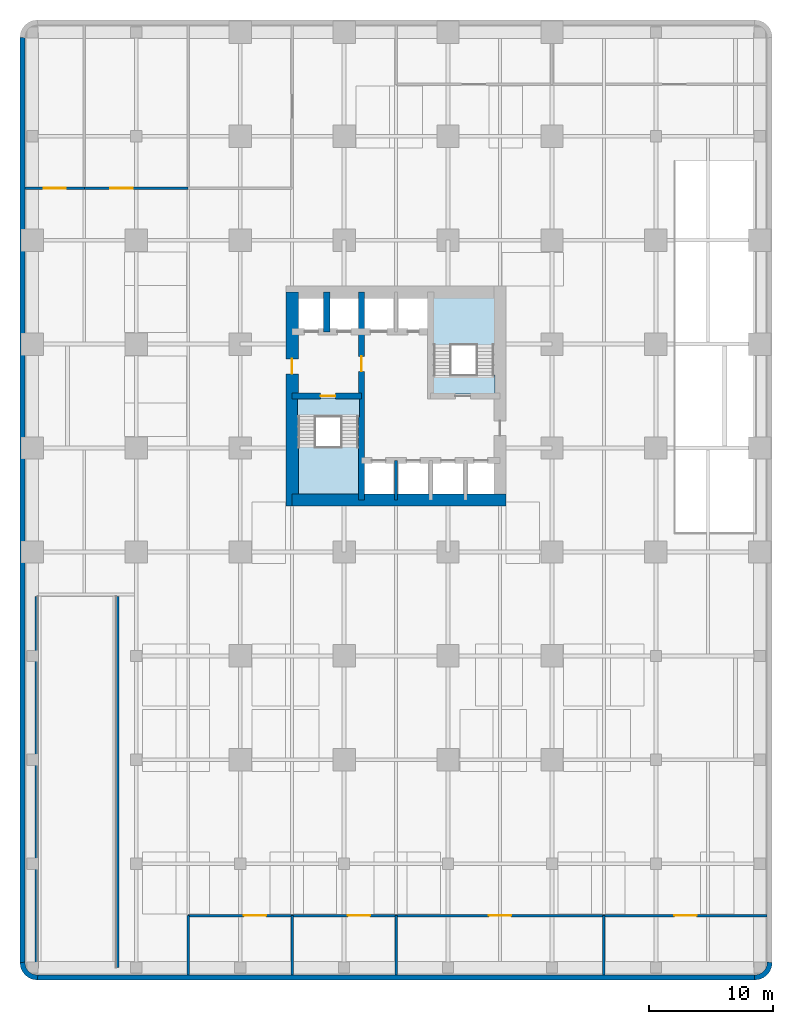
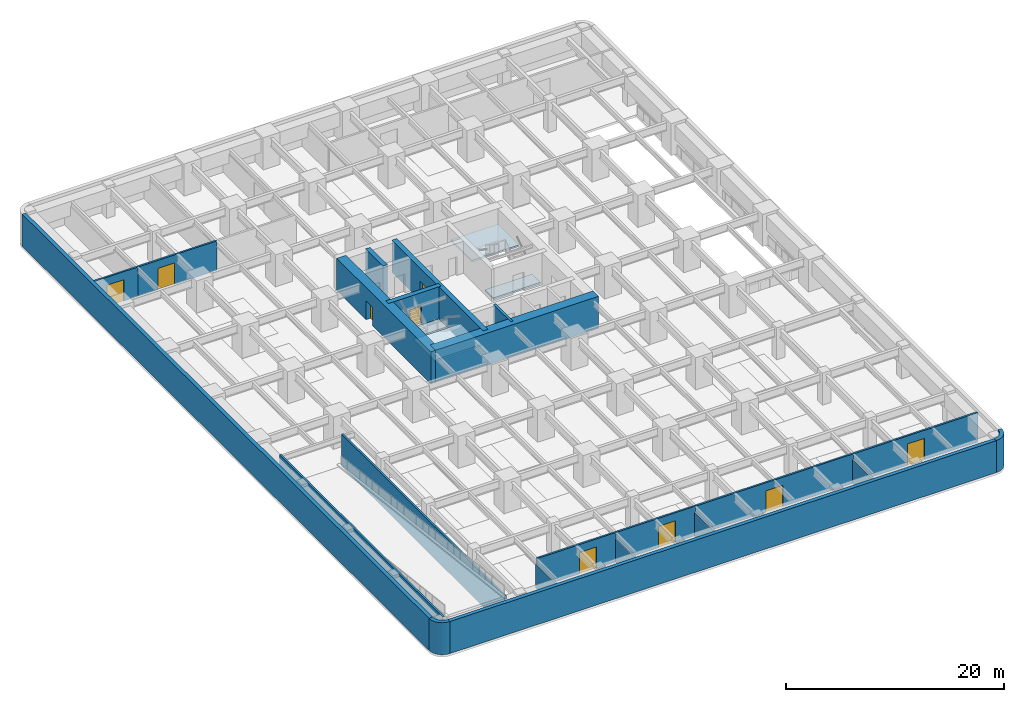
# One storey, part 4 of 9: 22 walls, 9 doors, 4 slabs, 9 openings, 2 elements without a shape of their own.
"""IFC4 building model written with IfcOpenShell, lengths in metres."""

import ifcopenshell
import ifcopenshell.guid

model = None  # the IFC model being written
_history = None  # IfcOwnerHistory: only IFC2X3 demands one
_inside = {}  # id of a spatial element -> (the spatial element, [elements in it])
_under = {}  # id of a project, library or spatial element -> (it, [spatial elements below it])
_declared = {}  # id of a project -> (the project, [libraries it declares])
_typed = {}  # id of a type object -> (the type object, [elements of that type])
_made_of = {}  # id of a material, layer set ... -> (it, [elements and type objects made of it])


def new_model(schema):
    """Start an empty IFC model of exactly this schema.

    Asked for "IFC4X3", IfcOpenShell would pick the latest addendum, in which some entities
    have other attributes; the version numbers below select the first issue.
    IFC2X3 requires an IfcOwnerHistory on every rooted entity: one is made here for all.
    """
    global model, _history
    if schema == "IFC4X3":
        model = ifcopenshell.file(schema_version=(4, 3, 0, 0))
    else:
        model = ifcopenshell.file(schema=schema)
    _inside.clear()
    _under.clear()
    _declared.clear()
    _typed.clear()
    _made_of.clear()
    _history = None
    if model.schema == "IFC2X3":
        org = make("IfcOrganization", Name="unknown")
        user = make(
            "IfcPersonAndOrganization",
            ThePerson=make("IfcPerson", FamilyName="unknown"),
            TheOrganization=org,
        )
        app = make(
            "IfcApplication",
            ApplicationDeveloper=org,
            Version="unknown",
            ApplicationFullName="unknown",
            ApplicationIdentifier="unknown",
        )
        _history = make(
            "IfcOwnerHistory",
            OwningUser=user,
            OwningApplication=app,
            ChangeAction="ADDED",
            CreationDate=0,
        )
    return model


def make(cls, **values):
    """One entity of the class cls with the attributes given. An attribute that is None is left unset."""
    return model.create_entity(
        cls, **{name: value for name, value in values.items() if value is not None}
    )


def rooted(cls, **values):
    """An entity with a GlobalId (a new one), such as an element, a storey or a relation."""
    return make(cls, GlobalId=ifcopenshell.guid.new(), OwnerHistory=_history, **values)


def si_unit(unit_type, name, prefix=None):
    """IfcSIUnit, for example si_unit("LENGTHUNIT", "METRE", prefix="MILLI")."""
    return make("IfcSIUnit", UnitType=unit_type, Prefix=prefix, Name=name)


def assignment(units):
    """IfcUnitAssignment: the units of a project."""
    return None if units is None else make("IfcUnitAssignment", Units=units)


def point(xyz):
    """IfcCartesianPoint."""
    return None if xyz is None else make("IfcCartesianPoint", Coordinates=xyz)


def direction(xyz):
    """IfcDirection."""
    return None if xyz is None else make("IfcDirection", DirectionRatios=xyz)


def frame(location, z_axis=None, x_axis=None):
    """IfcAxis2Placement3D, a coordinate frame: its origin and axes. An axis left out is left unset."""
    return make(
        "IfcAxis2Placement3D",
        Location=point(location),
        Axis=direction(z_axis),
        RefDirection=direction(x_axis),
    )


def frame_2d(location, x_axis=None):
    """IfcAxis2Placement2D, a coordinate frame in the plane: its origin and x axis."""
    return make(
        "IfcAxis2Placement2D", Location=point(location), RefDirection=direction(x_axis)
    )


def origin():
    """The frame at (0, 0, 0) with its axes left unset."""
    return frame((0.0, 0.0, 0.0))


def place(relative_to, where):
    """IfcLocalPlacement: puts the frame where relative to a parent placement (None: the world)."""
    return make(
        "IfcLocalPlacement", PlacementRelTo=relative_to, RelativePlacement=where
    )


def context(
    kind, dimensions, precision=None, world=None, true_north=None, identifier=None
):
    """IfcGeometricRepresentationContext, for example the 3D "Model" context."""
    return make(
        "IfcGeometricRepresentationContext",
        ContextIdentifier=identifier,
        ContextType=kind,
        CoordinateSpaceDimension=dimensions,
        Precision=precision,
        WorldCoordinateSystem=world,
        TrueNorth=true_north,
    )


def subcontext(parent, identifier, kind, view, scale=None):
    """IfcGeometricRepresentationSubContext, for example "Body" below "Model"."""
    return make(
        "IfcGeometricRepresentationSubContext",
        ContextIdentifier=identifier,
        ContextType=kind,
        ParentContext=parent,
        TargetScale=scale,
        TargetView=view,
    )


def project(units=None, contexts=None):
    """IfcProject with its units and contexts."""
    return rooted(
        "IfcProject",
        Name="project",
        RepresentationContexts=contexts,
        UnitsInContext=assignment(units),
    )


def spatial(cls, under=None, at=None, **own):
    """A site, building, storey or space (cls), placed at a placement, below another one or the project."""
    s = rooted(cls, ObjectPlacement=at, **own)
    if under is not None:
        _under.setdefault(under.id(), (under, []))[1].append(s)
    return s


def polyline(points):
    """IfcPolyline through the points."""
    return make("IfcPolyline", Points=[point(p) for p in points])


def profile(cls, at=None, kind="AREA", **sizes):
    """A parametric profile (cls). Its sizes go by their IFC names, for example OverallWidth=200.0."""
    return make(cls, ProfileType=kind, Position=at, **sizes)


def rectangle(**sizes):
    """IfcRectangleProfileDef."""
    return profile("IfcRectangleProfileDef", **sizes)


def outline(outer, holes=None, kind="AREA"):
    """IfcArbitraryClosedProfileDef: a profile drawn as a closed curve; with holes, ...WithVoids."""
    if holes is None:
        return make("IfcArbitraryClosedProfileDef", ProfileType=kind, OuterCurve=outer)
    return make(
        "IfcArbitraryProfileDefWithVoids",
        ProfileType=kind,
        OuterCurve=outer,
        InnerCurves=holes,
    )


def extrude(swept, where, along, depth):
    """IfcExtrudedAreaSolid: the profile swept, set in the frame where, extruded along a direction by depth."""
    return make(
        "IfcExtrudedAreaSolid",
        SweptArea=swept,
        Position=where,
        ExtrudedDirection=direction(along),
        Depth=depth,
    )


def shape(context_of_items, identifier, shape_type, items):
    """IfcShapeRepresentation: the items that make up one representation, for example the "Body"."""
    return make(
        "IfcShapeRepresentation",
        ContextOfItems=context_of_items,
        RepresentationIdentifier=identifier,
        RepresentationType=shape_type,
        Items=items,
    )


def material(Name=None, Category=None):
    """IfcMaterial."""
    return make("IfcMaterial", Name=Name, Category=Category)


def layer(
    of_material, thickness, ventilated=None, Name=None, Category=None, Priority=None
):
    """IfcMaterialLayer: one layer of a wall or slab, of a material (None: an air gap)."""
    return make(
        "IfcMaterialLayer",
        Material=of_material,
        LayerThickness=thickness,
        IsVentilated=ventilated,
        Name=Name,
        Category=Category,
        Priority=Priority,
    )


def layer_set(layers, Name=None):
    """IfcMaterialLayerSet."""
    return make("IfcMaterialLayerSet", MaterialLayers=layers, LayerSetName=Name)


def made_of(thing, what):
    """Note that an element or type object is made of a material, layer set ...; save() writes the relation."""
    if what is not None:
        _made_of.setdefault(what.id(), (what, []))[1].append(thing)
    return thing


def type_object(cls, material=None, **own):
    """A type object (cls), such as IfcWallType, which elements share."""
    return made_of(rooted(cls, **own), material)


def element(
    cls,
    number,
    at=None,
    inside=None,
    cuts=None,
    type_object=None,
    material=None,
    context=None,
    identifier="Body",
    shape_type=None,
    held_by="IfcProductDefinitionShape",
    body=None,
    shapes=None,
    **own,
):
    """One element of the class cls, such as IfcWall. Its Tag is "e" and its number.

    at: its placement. inside: the storey or other place that contains it. cuts: it is an
    opening in that element (IfcRelVoidsElement). A single representation is given by context,
    identifier, shape_type and body (its items); several are given by shapes. held_by: the class
    of the entity that holds the representations. save() writes the other relations.
    """
    e = rooted(cls, Tag="e%d" % number, ObjectPlacement=at, **own)
    if body is not None:
        shapes = [shape(context, identifier, shape_type, body)]
    if shapes is not None:
        e.Representation = make(held_by, Representations=shapes)
    if inside is not None:
        _inside.setdefault(inside.id(), (inside, []))[1].append(e)
    if cuts is not None:
        rooted(
            "IfcRelVoidsElement", RelatingBuildingElement=cuts, RelatedOpeningElement=e
        )
    if type_object is not None:
        _typed.setdefault(type_object.id(), (type_object, []))[1].append(e)
    return made_of(e, material)


def fill(opening, filler):
    """IfcRelFillsElement: the door or window that sits in an opening."""
    return rooted(
        "IfcRelFillsElement",
        RelatingOpeningElement=opening,
        RelatedBuildingElement=filler,
    )


def aggregate(whole, parts):
    """IfcRelAggregates: a whole, such as a stair, and the parts it consists of."""
    return rooted("IfcRelAggregates", RelatingObject=whole, RelatedObjects=parts)


def save(model, path):
    """Write the relations noted so far, then the file.

    IfcRelAggregates (storeys below a building ...), IfcRelContainedInSpatialStructure (elements
    in a storey), IfcRelDefinesByType, IfcRelAssociatesMaterial and IfcRelDeclares: one each for
    every whole, place, type object, material and project.
    """
    for whole, parts in _under.values():
        aggregate(whole, parts)
    for where, things in _inside.values():
        rooted(
            "IfcRelContainedInSpatialStructure",
            RelatedElements=things,
            RelatingStructure=where,
        )
    for kind, things in _typed.values():
        rooted("IfcRelDefinesByType", RelatedObjects=things, RelatingType=kind)
    for what, things in _made_of.values():
        rooted("IfcRelAssociatesMaterial", RelatedObjects=things, RelatingMaterial=what)
    for by, libraries in _declared.values():
        rooted("IfcRelDeclares", RelatingContext=by, RelatedDefinitions=libraries)
    model.write(path)


model = new_model("IFC4")

# Units and contexts
model_context = context("Model", 3, precision=1e-05, world=origin(), true_north=direction((0.0, 1.0)))
body_context = subcontext(model_context, "Body", "Model", "MODEL_VIEW")
ifc_project = project(units=[si_unit("LENGTHUNIT", "METRE"), si_unit("AREAUNIT", "SQUARE_METRE"), si_unit("VOLUMEUNIT", "CUBIC_METRE"), si_unit("PLANEANGLEUNIT", "RADIAN"), si_unit("MASSUNIT", "GRAM", prefix="KILO")], contexts=[model_context])

# Site, building, storey
site_placement = place(None, origin())
site = spatial("IfcSite", under=ifc_project, at=site_placement, CompositionType="ELEMENT")
building_placement = place(site_placement, origin())
building = spatial("IfcBuilding", under=site, at=building_placement, Name="Torre Alcanfor", CompositionType="ELEMENT")
storey_placement = place(building_placement, frame((0.0, 0.0, -3.60009765625)))
storey = spatial("IfcBuildingStorey", under=building, at=storey_placement, Name="B1", CompositionType="ELEMENT", Elevation=-3.60009765625)

# Stair, slabs
ifc_material_1 = material(Name="Concrete f'c 35 MPa", Category="concrete")
stair_type_1 = type_object("IfcStairType", Name="Exit stair S1 1400 wide", PredefinedType="HALF_TURN_STAIR", material=ifc_material_1)
stair_1_placement = place(storey_placement, origin())
stair_1 = element("IfcStair", 1, at=stair_1_placement, inside=storey, type_object=stair_type_1, Name="Stair S1 B1 to L00", PredefinedType="HALF_TURN_STAIR")
ifc_material_2 = material(Name="Concrete f'c 35 MPa", Category="concrete")
ifc_layer_1 = layer(ifc_material_2, 0.199951171875)
ifc_layer_set_1 = layer_set([ifc_layer_1], Name="Stair landing 200")
slab_type = type_object("IfcSlabType", Name="Stair landing 200", PredefinedType="LANDING", material=ifc_layer_set_1)
slab_1_placement = place(storey_placement, frame((0.0, 0.0, -0.199951171875)))
slab_1 = element("IfcSlab", 2, at=slab_1_placement, type_object=slab_type, Name="S1 landing 1", PredefinedType="LANDING", context=body_context, shape_type="SweptSolid", body=[
    extrude(outline(polyline([(21.419921875, 27.699951171875), (26.429931640625, 27.699951171875), (26.429931640625, 29.22998046875), (21.419921875, 29.22998046875), (21.419921875, 27.699951171875)])), origin(), (0.0, 0.0, 1.0), 0.199951171875),
])
slab_2_placement = place(storey_placement, frame((0.0, 0.0, 1.60009765625)))
slab_2 = element("IfcSlab", 3, at=slab_2_placement, type_object=slab_type, Name="S1 landing 2", PredefinedType="LANDING", context=body_context, shape_type="SweptSolid", body=[
    extrude(outline(polyline([(21.419921875, 21.419921875), (26.429931640625, 21.419921875), (26.429931640625, 25.280029296875), (21.419921875, 25.280029296875), (21.419921875, 21.419921875)])), origin(), (0.0, 0.0, 1.0), 0.199951171875),
])
aggregate(stair_1, [slab_1, slab_2])

ifc_material_3 = material(Name="Concrete f'c 35 MPa", Category="concrete")
stair_type_2 = type_object("IfcStairType", Name="Exit stair S2 1400 wide", PredefinedType="HALF_TURN_STAIR", material=ifc_material_3)
stair_2_placement = place(storey_placement, origin())
stair_2 = element("IfcStair", 4, at=stair_2_placement, inside=storey, type_object=stair_type_2, Name="Stair S2 B1 to L00", PredefinedType="HALF_TURN_STAIR")
slab_3_placement = place(storey_placement, frame((0.0, 0.0, -0.199951171875)))
slab_3 = element("IfcSlab", 5, at=slab_3_placement, type_object=slab_type, Name="S2 landing 1", PredefinedType="LANDING", context=body_context, shape_type="SweptSolid", body=[
    extrude(outline(polyline([(32.3701171875, 29.570068359375), (37.3798828125, 29.570068359375), (37.3798828125, 31.10009765625), (32.3701171875, 31.10009765625), (32.3701171875, 29.570068359375)])), origin(), (0.0, 0.0, 1.0), 0.199951171875),
])
slab_4_placement = place(storey_placement, frame((0.0, 0.0, 1.60009765625)))
slab_4 = element("IfcSlab", 6, at=slab_4_placement, type_object=slab_type, Name="S2 landing 2", PredefinedType="LANDING", context=body_context, shape_type="SweptSolid", body=[
    extrude(outline(polyline([(32.3701171875, 33.52001953125), (37.3798828125, 33.52001953125), (37.3798828125, 37.3798828125), (32.3701171875, 37.3798828125), (32.3701171875, 33.52001953125)])), origin(), (0.0, 0.0, 1.0), 0.199951171875),
])
aggregate(stair_2, [slab_3, slab_4])

# Walls
ifc_material_4 = material(Name="Concrete f'c 70 MPa", Category="concrete")
ifc_layer_2 = layer(ifc_material_4, 0.39990234375)
ifc_layer_set_2 = layer_set([ifc_layer_2], Name="Basement retaining wall 400")
wall_type_1 = type_object("IfcWallType", Name="Basement retaining wall 400", PredefinedType="SOLIDWALL", material=ifc_layer_set_2)
wall_1_placement = place(storey_placement, frame((-0.800048828125, 58.39990234375, 0.0), z_axis=(0.0, 0.0, 1.0), x_axis=(0.0, -1.0, 0.0)))
element("IfcWall", 7, at=wall_1_placement, inside=storey, type_object=wall_type_1, Name="Retaining wall B1 3", PredefinedType="SOLIDWALL", context=body_context, shape_type="SweptSolid", body=[
    extrude(rectangle(XDim=74.7998046875, YDim=0.39990234375, at=frame_2d((37.39990234375, 0.0))), origin(), (0.0, 0.0, 1.0), 3.60009765625),
])
wall_2_placement = place(storey_placement, frame((0.39990234375, -17.60009765625, 0.0), z_axis=(0.0, 0.0, 1.0), x_axis=(1.0, 0.0, 0.0)))
element("IfcWall", 8, at=wall_2_placement, inside=storey, type_object=wall_type_1, Name="Retaining wall B1 4", PredefinedType="SOLIDWALL", context=body_context, shape_type="SweptSolid", body=[
    extrude(rectangle(XDim=58.0, YDim=0.39990234375, at=frame_2d((29.0, 0.0))), origin(), (0.0, 0.0, 1.0), 3.60009765625),
])
wall_3_placement = place(storey_placement, origin())
element("IfcWall", 9, at=wall_3_placement, inside=storey, type_object=wall_type_1, Name="Retaining wall corner B1 7", PredefinedType="SOLIDWALL", context=body_context, shape_type="SweptSolid", body=[
    extrude(outline(polyline([(0.39990234375, -17.800048828125), (0.45263671875, -17.39990234375), (0.42626953125, -17.39990234375), (0.14208984375, -17.362548828125), (-0.09814453125, -17.262939453125), (-0.3046875, -17.1044921875), (-0.462890625, -16.898193359375), (-0.5625, -16.657958984375), (-0.60009765625, -16.373779296875), (-0.60009765625, -16.347412109375), (-1.0, -16.39990234375), (-0.952392578125, -16.76220703125), (-0.8125, -17.10009765625), (-0.58984375, -17.389892578125), (-0.300048828125, -17.6123046875), (0.03759765625, -17.752197265625), (0.39990234375, -17.800048828125)])), origin(), (0.0, 0.0, 1.0), 3.60009765625),
])
wall_4_placement = place(storey_placement, origin())
element("IfcWall", 10, at=wall_4_placement, inside=storey, type_object=wall_type_1, Name="Retaining wall corner B1 8", PredefinedType="SOLIDWALL", context=body_context, shape_type="SweptSolid", body=[
    extrude(outline(polyline([(59.800048828125, -16.39990234375), (59.39990234375, -16.347412109375), (59.39990234375, -16.373779296875), (59.362548828125, -16.657958984375), (59.262939453125, -16.898193359375), (59.1044921875, -17.1044921875), (58.898193359375, -17.262939453125), (58.657958984375, -17.362548828125), (58.373779296875, -17.39990234375), (58.347412109375, -17.39990234375), (58.39990234375, -17.800048828125), (58.76220703125, -17.752197265625), (59.10009765625, -17.6123046875), (59.389892578125, -17.389892578125), (59.6123046875, -17.10009765625), (59.752197265625, -16.76220703125), (59.800048828125, -16.39990234375)])), origin(), (0.0, 0.0, 1.0), 3.60009765625),
])

# Wall, opening, door
ifc_material_5 = material(Name="Concrete f'c 70 MPa", Category="concrete")
ifc_layer_3 = layer(ifc_material_5, 0.5)
ifc_layer_set_3 = layer_set([ifc_layer_3], Name="Core inner wall 500 f'c70")
wall_type_2 = type_object("IfcWallType", Name="Core inner wall 500 f'c70", PredefinedType="SHEAR", material=ifc_layer_set_3)
wall_5_placement = place(storey_placement, frame((26.60009765625, 21.0, 0.0), z_axis=(0.0, 0.0, 1.0), x_axis=(0.0, 1.0, 0.0)))
wall_5 = element("IfcWall", 11, at=wall_5_placement, inside=storey, type_object=wall_type_2, Name="Core wall X266 B1", PredefinedType="SHEAR", context=body_context, shape_type="SweptSolid", body=[
    extrude(rectangle(XDim=16.800048828125, YDim=0.5, at=frame_2d((8.39990234375, 0.0))), origin(), (0.0, 0.0, 1.0), 3.60009765625),
])
opening_1_placement = place(wall_5_placement, frame((10.39990234375, 0.0, 0.0)))
opening_1 = element("IfcOpeningElement", 12, at=opening_1_placement, cuts=wall_5, Name="Opening D-L1", PredefinedType="OPENING", context=body_context, shape_type="SweptSolid", body=[
    extrude(rectangle(XDim=1.199951171875, YDim=2.10009765625, at=frame_2d((0.60009765625, 1.050048828125))), frame((0.0, 0.260009765625, 0.0), z_axis=(0.0, -1.0, 0.0), x_axis=(1.0, 0.0, 0.0)), (0.0, 0.0, 1.0), 0.52001953125),
])
ifc_material_6 = material(Name="Galvanised steel sheet ASTM A653", Category="steel")
door_type_1 = type_object("IfcDoorType", Name="Lobby door FD120 1200x2100", OperationType="SINGLE_SWING_LEFT", PredefinedType="DOOR", material=ifc_material_6)
door_1_placement = place(opening_1_placement, origin())
door_1 = element("IfcDoor", 13, at=door_1_placement, inside=storey, type_object=door_type_1, Name="Lift lobby door B1", OperationType="SINGLE_SWING_LEFT", OverallHeight=2.10009765625, OverallWidth=1.199951171875, PredefinedType="DOOR", context=body_context, shape_type="SweptSolid", body=[
    extrude(rectangle(XDim=1.199951171875, YDim=2.10009765625, at=frame_2d((0.60009765625, 1.050048828125))), frame((0.0, 0.02490234375, 0.0), z_axis=(0.0, -1.0, 0.0), x_axis=(1.0, 0.0, 0.0)), (0.0, 0.0, 1.0), 0.050048828125),
])
fill(opening_1, door_1)

wall_6_placement = place(storey_placement, frame((21.0, 29.39990234375, 0.0), z_axis=(0.0, 0.0, 1.0), x_axis=(1.0, 0.0, 0.0)))
wall_6 = element("IfcWall", 14, at=wall_6_placement, inside=storey, type_object=wall_type_2, Name="Core wall Y294W B1", PredefinedType="SHEAR", context=body_context, shape_type="SweptSolid", body=[
    extrude(rectangle(XDim=5.60009765625, YDim=0.5, at=frame_2d((2.800048828125, 0.0))), origin(), (0.0, 0.0, 1.0), 3.60009765625),
])
opening_2_placement = place(wall_6_placement, frame((2.300048828125, 0.0, 0.0)))
opening_2 = element("IfcOpeningElement", 15, at=opening_2_placement, cuts=wall_6, Name="Opening D-S2", PredefinedType="OPENING", context=body_context, shape_type="SweptSolid", body=[
    extrude(rectangle(XDim=1.199951171875, YDim=2.10009765625, at=frame_2d((0.60009765625, 1.050048828125))), frame((0.0, 0.260009765625, 0.0), z_axis=(0.0, -1.0, 0.0), x_axis=(1.0, 0.0, 0.0)), (0.0, 0.0, 1.0), 0.52001953125),
])
ifc_material_7 = material(Name="Galvanised steel sheet ASTM A653", Category="steel")
door_type_2 = type_object("IfcDoorType", Name="Stair enclosure door FD120 1200x2100", OperationType="SINGLE_SWING_LEFT", PredefinedType="DOOR", material=ifc_material_7)
door_2_placement = place(opening_2_placement, frame((1.199951171875, 0.0, 0.0), z_axis=(0.0, 0.0, 1.0), x_axis=(-1.0, 0.0, 0.0)))
door_2 = element("IfcDoor", 16, at=door_2_placement, inside=storey, type_object=door_type_2, Name="Stair S1 door B1", OperationType="SINGLE_SWING_LEFT", OverallHeight=2.10009765625, OverallWidth=1.199951171875, PredefinedType="DOOR", context=body_context, shape_type="SweptSolid", body=[
    extrude(rectangle(XDim=1.199951171875, YDim=2.10009765625, at=frame_2d((0.599853515625, 1.050048828125))), frame((0.0, 0.025146484375, 0.0), z_axis=(0.0, -1.0, 0.0), x_axis=(1.0, 0.0, 0.0)), (0.0, 0.0, 1.0), 0.050048828125),
])
fill(opening_2, door_2)

# Walls
wall_7_placement = place(storey_placement, frame((23.800048828125, 34.60009765625, 0.0), z_axis=(0.0, 0.0, 1.0), x_axis=(0.0, 1.0, 0.0)))
element("IfcWall", 17, at=wall_7_placement, inside=storey, type_object=wall_type_2, Name="Core wall X238 B1", PredefinedType="SHEAR", context=body_context, shape_type="SweptSolid", body=[
    extrude(rectangle(XDim=3.199951171875, YDim=0.5, at=frame_2d((1.60009765625, 0.0))), origin(), (0.0, 0.0, 1.0), 3.60009765625),
])
ifc_material_8 = material(Name="Concrete f'c 70 MPa", Category="concrete")
ifc_layer_4 = layer(ifc_material_8, 0.25)
ifc_layer_set_4 = layer_set([ifc_layer_4], Name="Core shaft wall 250 f'c70")
wall_type_3 = type_object("IfcWallType", Name="Core shaft wall 250 f'c70", PredefinedType="SHEAR", material=ifc_layer_set_4)
wall_8_placement = place(storey_placement, frame((29.39990234375, 21.0, 0.0), z_axis=(0.0, 0.0, 1.0), x_axis=(0.0, 1.0, 0.0)))
element("IfcWall", 18, at=wall_8_placement, inside=storey, type_object=wall_type_3, Name="Core wall X294S B1", PredefinedType="SHEAR", context=body_context, shape_type="SweptSolid", body=[
    extrude(rectangle(XDim=3.199951171875, YDim=0.25, at=frame_2d((1.60009765625, 0.0))), origin(), (0.0, 0.0, 1.0), 3.60009765625),
])
ifc_material_9 = material(Name="Concrete f'c 70 MPa", Category="concrete")
ifc_layer_5 = layer(ifc_material_9, 1.0)
ifc_layer_set_5 = layer_set([ifc_layer_5], Name="Core wall 1000 f'c70")
wall_type_4 = type_object("IfcWallType", Name="Core wall 1000 f'c70", PredefinedType="SHEAR", material=ifc_layer_set_5)
wall_9_placement = place(storey_placement, frame((21.0, 21.0, 0.0), z_axis=(0.0, 0.0, 1.0), x_axis=(1.0, 0.0, 0.0)))
element("IfcWall", 19, at=wall_9_placement, inside=storey, type_object=wall_type_4, Name="Core wall OUT-S B1", PredefinedType="SHEAR", context=body_context, shape_type="SweptSolid", body=[
    extrude(rectangle(XDim=17.300048828125, YDim=1.0, at=frame_2d((8.64990234375, 0.0))), origin(), (0.0, 0.0, 1.0), 3.60009765625),
])

# Wall, opening, door
wall_10_placement = place(storey_placement, frame((21.0, 37.800048828125, 0.0), z_axis=(0.0, 0.0, 1.0), x_axis=(0.0, -1.0, 0.0)))
wall_10 = element("IfcWall", 20, at=wall_10_placement, inside=storey, type_object=wall_type_4, Name="Core wall OUT-W B1", PredefinedType="SHEAR", context=body_context, shape_type="SweptSolid", body=[
    extrude(rectangle(XDim=17.300048828125, YDim=1.0, at=frame_2d((8.64990234375, 0.0))), origin(), (0.0, 0.0, 1.0), 3.60009765625),
])
opening_3_placement = place(wall_10_placement, frame((5.39990234375, 0.0, 0.0)))
opening_3 = element("IfcOpeningElement", 21, at=opening_3_placement, cuts=wall_10, Name="Opening D-L1", PredefinedType="OPENING", context=body_context, shape_type="SweptSolid", body=[
    extrude(rectangle(XDim=1.199951171875, YDim=2.10009765625, at=frame_2d((0.60009765625, 1.050048828125))), frame((0.0, 0.510009765625, 0.0), z_axis=(0.0, -1.0, 0.0), x_axis=(1.0, 0.0, 0.0)), (0.0, 0.0, 1.0), 1.02001953125),
])
door_3_placement = place(opening_3_placement, origin())
door_3 = element("IfcDoor", 22, at=door_3_placement, inside=storey, type_object=door_type_1, Name="Firefighting lobby door B1", OperationType="SINGLE_SWING_LEFT", OverallHeight=2.10009765625, OverallWidth=1.199951171875, PredefinedType="DOOR", context=body_context, shape_type="SweptSolid", body=[
    extrude(rectangle(XDim=1.199951171875, YDim=2.10009765625, at=frame_2d((0.60009765625, 1.050048828125))), frame((0.0, 0.02490234375, 0.0), z_axis=(0.0, -1.0, 0.0), x_axis=(1.0, 0.0, 0.0)), (0.0, 0.0, 1.0), 0.050048828125),
])
fill(opening_3, door_3)

ifc_material_10 = material(Name="Concrete block masonry, hollow blocks NMX-C-404 9 MPa", Category="masonry")
ifc_layer_6 = layer(ifc_material_10, 0.199951171875)
ifc_layer_set_6 = layer_set([ifc_layer_6], Name="Plant room wall 200 EI 60")
wall_type_5 = type_object("IfcWallType", Name="Plant room wall 200 EI 60", PredefinedType="PARTITIONING", material=ifc_layer_set_6)
wall_11_placement = place(storey_placement, frame((-0.60009765625, 46.199951171875, 0.0), z_axis=(0.0, 0.0, 1.0), x_axis=(1.0, 0.0, 0.0)))
wall_11 = element("IfcWall", 23, at=wall_11_placement, inside=storey, type_object=wall_type_5, Name="Partition B1-PARK / B1-R01", PredefinedType="PARTITIONING", context=body_context, shape_type="SweptSolid", body=[
    extrude(rectangle(XDim=4.800048828125, YDim=0.199951171875, at=frame_2d((2.39990234375, 0.0))), origin(), (0.0, 0.0, 1.0), 3.300048828125),
])
opening_4_placement = place(wall_11_placement, frame((1.5, 0.0, 0.0)))
opening_4 = element("IfcOpeningElement", 24, at=opening_4_placement, cuts=wall_11, Name="Opening D-P1", PredefinedType="OPENING", context=body_context, shape_type="SweptSolid", body=[
    extrude(rectangle(XDim=1.800048828125, YDim=2.39990234375, at=frame_2d((0.89990234375, 1.199951171875))), frame((0.0, 0.10986328125, 0.0), z_axis=(0.0, -1.0, 0.0), x_axis=(1.0, 0.0, 0.0)), (0.0, 0.0, 1.0), 0.219970703125),
])
ifc_material_11 = material(Name="Galvanised steel sheet ASTM A653", Category="steel")
door_type_3 = type_object("IfcDoorType", Name="Plant room door FD60 1800x2400", OperationType="DOUBLE_DOOR_SINGLE_SWING", PredefinedType="DOOR", material=ifc_material_11)
door_4_placement = place(opening_4_placement, origin())
door_4 = element("IfcDoor", 25, at=door_4_placement, inside=storey, type_object=door_type_3, Name="Door B1-R01 generator fuel store", OperationType="DOUBLE_DOOR_SINGLE_SWING", OverallHeight=2.39990234375, OverallWidth=1.800048828125, PredefinedType="DOOR", context=body_context, shape_type="SweptSolid", body=[
    extrude(rectangle(XDim=1.800048828125, YDim=2.39990234375, at=frame_2d((0.89990234375, 1.199951171875))), frame((0.0, 0.02490234375, 0.0), z_axis=(0.0, -1.0, 0.0), x_axis=(1.0, 0.0, 0.0)), (0.0, 0.0, 1.0), 0.050048828125),
])
fill(opening_4, door_4)

wall_12_placement = place(storey_placement, frame((4.199951171875, 46.199951171875, 0.0), z_axis=(0.0, 0.0, 1.0), x_axis=(1.0, 0.0, 0.0)))
wall_12 = element("IfcWall", 26, at=wall_12_placement, inside=storey, type_object=wall_type_5, Name="Partition B1-PARK / B1-R02", PredefinedType="PARTITIONING", context=body_context, shape_type="SweptSolid", body=[
    extrude(rectangle(XDim=8.400146484375, YDim=0.199951171875, at=frame_2d((4.2001953125, 0.0))), origin(), (0.0, 0.0, 1.0), 3.300048828125),
])
opening_5_placement = place(wall_12_placement, frame((2.10009765625, 0.0, 0.0)))
opening_5 = element("IfcOpeningElement", 27, at=opening_5_placement, cuts=wall_12, Name="Opening D-P1", PredefinedType="OPENING", context=body_context, shape_type="SweptSolid", body=[
    extrude(rectangle(XDim=1.800048828125, YDim=2.39990234375, at=frame_2d((0.89990234375, 1.199951171875))), frame((0.0, 0.10986328125, 0.0), z_axis=(0.0, -1.0, 0.0), x_axis=(1.0, 0.0, 0.0)), (0.0, 0.0, 1.0), 0.219970703125),
])
door_5_placement = place(opening_5_placement, origin())
door_5 = element("IfcDoor", 28, at=door_5_placement, inside=storey, type_object=door_type_3, Name="Door B1-R02 generator room 1", OperationType="DOUBLE_DOOR_SINGLE_SWING", OverallHeight=2.39990234375, OverallWidth=1.800048828125, PredefinedType="DOOR", context=body_context, shape_type="SweptSolid", body=[
    extrude(rectangle(XDim=1.800048828125, YDim=2.39990234375, at=frame_2d((0.89990234375, 1.199951171875))), frame((0.0, 0.02490234375, 0.0), z_axis=(0.0, -1.0, 0.0), x_axis=(1.0, 0.0, 0.0)), (0.0, 0.0, 1.0), 0.050048828125),
])
fill(opening_5, door_5)

wall_13_placement = place(storey_placement, frame((21.0, -12.60009765625, 0.0), z_axis=(0.0, 0.0, 1.0), x_axis=(-1.0, 0.0, 0.0)))
wall_13 = element("IfcWall", 29, at=wall_13_placement, inside=storey, type_object=wall_type_5, Name="Partition B1-PARK / B1-R05", PredefinedType="PARTITIONING", context=body_context, shape_type="SweptSolid", body=[
    extrude(rectangle(XDim=8.39990234375, YDim=0.199951171875, at=frame_2d((4.199951171875, 0.0))), origin(), (0.0, 0.0, 1.0), 3.300048828125),
])
opening_6_placement = place(wall_13_placement, frame((2.10009765625, 0.0, 0.0)))
opening_6 = element("IfcOpeningElement", 30, at=opening_6_placement, cuts=wall_13, Name="Opening D-P1", PredefinedType="OPENING", context=body_context, shape_type="SweptSolid", body=[
    extrude(rectangle(XDim=1.800048828125, YDim=2.39990234375, at=frame_2d((0.89990234375, 1.199951171875))), frame((0.0, 0.10986328125, 0.0), z_axis=(0.0, -1.0, 0.0), x_axis=(1.0, 0.0, 0.0)), (0.0, 0.0, 1.0), 0.219970703125),
])
door_6_placement = place(opening_6_placement, origin())
door_6 = element("IfcDoor", 31, at=door_6_placement, inside=storey, type_object=door_type_3, Name="Door B1-R05 tower refuse store", OperationType="DOUBLE_DOOR_SINGLE_SWING", OverallHeight=2.39990234375, OverallWidth=1.800048828125, PredefinedType="DOOR", context=body_context, shape_type="SweptSolid", body=[
    extrude(rectangle(XDim=1.800048828125, YDim=2.39990234375, at=frame_2d((0.89990234375, 1.199951171875))), frame((0.0, 0.02490234375, 0.0), z_axis=(0.0, -1.0, 0.0), x_axis=(1.0, 0.0, 0.0)), (0.0, 0.0, 1.0), 0.050048828125),
])
fill(opening_6, door_6)

# Wall
wall_14_placement = place(storey_placement, frame((12.60009765625, -12.60009765625, 0.0), z_axis=(0.0, 0.0, 1.0), x_axis=(0.0, -1.0, 0.0)))
element("IfcWall", 32, at=wall_14_placement, inside=storey, type_object=wall_type_5, Name="Partition B1-PARK / B1-R05", PredefinedType="PARTITIONING", context=body_context, shape_type="SweptSolid", body=[
    extrude(rectangle(XDim=4.7998046875, YDim=0.199951171875, at=frame_2d((2.39990234375, 0.0))), origin(), (0.0, 0.0, 1.0), 2.68798828125),
])

# Wall, opening, door
wall_15_placement = place(storey_placement, frame((29.39990234375, -12.60009765625, 0.0), z_axis=(0.0, 0.0, 1.0), x_axis=(-1.0, 0.0, 0.0)))
wall_15 = element("IfcWall", 33, at=wall_15_placement, inside=storey, type_object=wall_type_5, Name="Partition B1-PARK / B1-R06", PredefinedType="PARTITIONING", context=body_context, shape_type="SweptSolid", body=[
    extrude(rectangle(XDim=8.39990234375, YDim=0.199951171875, at=frame_2d((4.199951171875, 0.0))), origin(), (0.0, 0.0, 1.0), 3.300048828125),
])
opening_7_placement = place(wall_15_placement, frame((2.10009765625, 0.0, 0.0)))
opening_7 = element("IfcOpeningElement", 34, at=opening_7_placement, cuts=wall_15, Name="Opening D-P1", PredefinedType="OPENING", context=body_context, shape_type="SweptSolid", body=[
    extrude(rectangle(XDim=1.800048828125, YDim=2.39990234375, at=frame_2d((0.89990234375, 1.199951171875))), frame((0.0, 0.10986328125, 0.0), z_axis=(0.0, -1.0, 0.0), x_axis=(1.0, 0.0, 0.0)), (0.0, 0.0, 1.0), 0.219970703125),
])
door_7_placement = place(opening_7_placement, origin())
door_7 = element("IfcDoor", 35, at=door_7_placement, inside=storey, type_object=door_type_3, Name="Door B1-R06 school refuse store", OperationType="DOUBLE_DOOR_SINGLE_SWING", OverallHeight=2.39990234375, OverallWidth=1.800048828125, PredefinedType="DOOR", context=body_context, shape_type="SweptSolid", body=[
    extrude(rectangle(XDim=1.800048828125, YDim=2.39990234375, at=frame_2d((0.89990234375, 1.199951171875))), frame((0.0, 0.02490234375, 0.0), z_axis=(0.0, -1.0, 0.0), x_axis=(1.0, 0.0, 0.0)), (0.0, 0.0, 1.0), 0.050048828125),
])
fill(opening_7, door_7)

wall_16_placement = place(storey_placement, frame((46.199951171875, -12.60009765625, 0.0), z_axis=(0.0, 0.0, 1.0), x_axis=(-1.0, 0.0, 0.0)))
wall_16 = element("IfcWall", 36, at=wall_16_placement, inside=storey, type_object=wall_type_5, Name="Partition B1-PARK / B1-R07", PredefinedType="PARTITIONING", context=body_context, shape_type="SweptSolid", body=[
    extrude(rectangle(XDim=16.800048828125, YDim=0.199951171875, at=frame_2d((8.39990234375, 0.0))), origin(), (0.0, 0.0, 1.0), 3.300048828125),
])
opening_8_placement = place(wall_16_placement, frame((7.5, 0.0, 0.0)))
opening_8 = element("IfcOpeningElement", 37, at=opening_8_placement, cuts=wall_16, Name="Opening D-P1", PredefinedType="OPENING", context=body_context, shape_type="SweptSolid", body=[
    extrude(rectangle(XDim=1.800048828125, YDim=2.39990234375, at=frame_2d((0.89990234375, 1.199951171875))), frame((0.0, 0.10986328125, 0.0), z_axis=(0.0, -1.0, 0.0), x_axis=(1.0, 0.0, 0.0)), (0.0, 0.0, 1.0), 0.219970703125),
])
door_8_placement = place(opening_8_placement, origin())
door_8 = element("IfcDoor", 38, at=door_8_placement, inside=storey, type_object=door_type_3, Name="Door B1-R07 residents' bicycle store", OperationType="DOUBLE_DOOR_SINGLE_SWING", OverallHeight=2.39990234375, OverallWidth=1.800048828125, PredefinedType="DOOR", context=body_context, shape_type="SweptSolid", body=[
    extrude(rectangle(XDim=1.800048828125, YDim=2.39990234375, at=frame_2d((0.89990234375, 1.199951171875))), frame((0.0, 0.02490234375, 0.0), z_axis=(0.0, -1.0, 0.0), x_axis=(1.0, 0.0, 0.0)), (0.0, 0.0, 1.0), 0.050048828125),
])
fill(opening_8, door_8)

wall_17_placement = place(storey_placement, frame((59.39990234375, -12.60009765625, 0.0), z_axis=(0.0, 0.0, 1.0), x_axis=(-1.0, 0.0, 0.0)))
wall_17 = element("IfcWall", 39, at=wall_17_placement, inside=storey, type_object=wall_type_5, Name="Partition B1-PARK / B1-R08", PredefinedType="PARTITIONING", context=body_context, shape_type="SweptSolid", body=[
    extrude(rectangle(XDim=13.199951171875, YDim=0.199951171875, at=frame_2d((6.60009765625, 0.0))), origin(), (0.0, 0.0, 1.0), 3.300048828125),
])
opening_9_placement = place(wall_17_placement, frame((5.699951171875, 0.0, 0.0)))
opening_9 = element("IfcOpeningElement", 40, at=opening_9_placement, cuts=wall_17, Name="Opening D-P1", PredefinedType="OPENING", context=body_context, shape_type="SweptSolid", body=[
    extrude(rectangle(XDim=1.800048828125, YDim=2.39990234375, at=frame_2d((0.89990234375, 1.199951171875))), frame((0.0, 0.10986328125, 0.0), z_axis=(0.0, -1.0, 0.0), x_axis=(1.0, 0.0, 0.0)), (0.0, 0.0, 1.0), 0.219970703125),
])
door_9_placement = place(opening_9_placement, origin())
door_9 = element("IfcDoor", 41, at=door_9_placement, inside=storey, type_object=door_type_3, Name="Door B1-R08 school bicycle store", OperationType="DOUBLE_DOOR_SINGLE_SWING", OverallHeight=2.39990234375, OverallWidth=1.800048828125, PredefinedType="DOOR", context=body_context, shape_type="SweptSolid", body=[
    extrude(rectangle(XDim=1.800048828125, YDim=2.39990234375, at=frame_2d((0.89990234375, 1.199951171875))), frame((0.0, 0.02490234375, 0.0), z_axis=(0.0, -1.0, 0.0), x_axis=(1.0, 0.0, 0.0)), (0.0, 0.0, 1.0), 0.050048828125),
])
fill(opening_9, door_9)

# Walls
for number, where, z_axis, x_axis, name in (
    (42, (21.0, -12.60009765625, 0.0), (0.0, 0.0, 1.0), (0.0, -1.0, 0.0), "Partition B1-R05 / B1-R06"),
    (43, (29.39990234375, -12.60009765625, 0.0), (0.0, 0.0, 1.0), (0.0, -1.0, 0.0), "Partition B1-R06 / B1-R07"),
    (44, (46.199951171875, -12.60009765625, 0.0), (0.0, 0.0, 1.0), (0.0, -1.0, 0.0), "Partition B1-R07 / B1-R08"),
):
    element("IfcWall", number, at=place(storey_placement, frame(where, z_axis=z_axis, x_axis=x_axis)), inside=storey, type_object=wall_type_5, Name=name, PredefinedType="PARTITIONING", context=body_context, shape_type="SweptSolid", body=[
        extrude(rectangle(XDim=4.7998046875, YDim=0.199951171875, at=frame_2d((2.39990234375, 0.0))), origin(), (0.0, 0.0, 1.0), 2.68798828125),
    ])
ifc_material_12 = material(Name="Concrete f'c 70 MPa", Category="concrete")
ifc_layer_7 = layer(ifc_material_12, 0.199951171875)
ifc_layer_set_7 = layer_set([ifc_layer_7], Name="Ramp trough wall 200")
wall_type_6 = type_object("IfcWallType", Name="Ramp trough wall 200", PredefinedType="SOLIDWALL", material=ifc_layer_set_7)
for number, where, z_axis, x_axis, name in (
    (45, (0.300048828125, -16.800048828125, 0.0), (0.0, 0.0, 1.0), (0.0, 1.0, 0.0), "Ramp trough wall R1 1"),
    (46, (6.89990234375, -16.800048828125, 0.0), (0.0, 0.0, 1.0), (0.0, 1.0, 0.0), "Ramp trough wall R1 2"),
):
    element("IfcWall", number, at=place(storey_placement, frame(where, z_axis=z_axis, x_axis=x_axis)), inside=storey, type_object=wall_type_6, Name=name, PredefinedType="SOLIDWALL", context=body_context, shape_type="SweptSolid", body=[
        extrude(rectangle(XDim=30.0, YDim=0.199951171875, at=frame_2d((15.0, 0.0))), origin(), (0.0, 0.0, 1.0), 3.60009765625),
    ])

save(model, "model.ifc")
